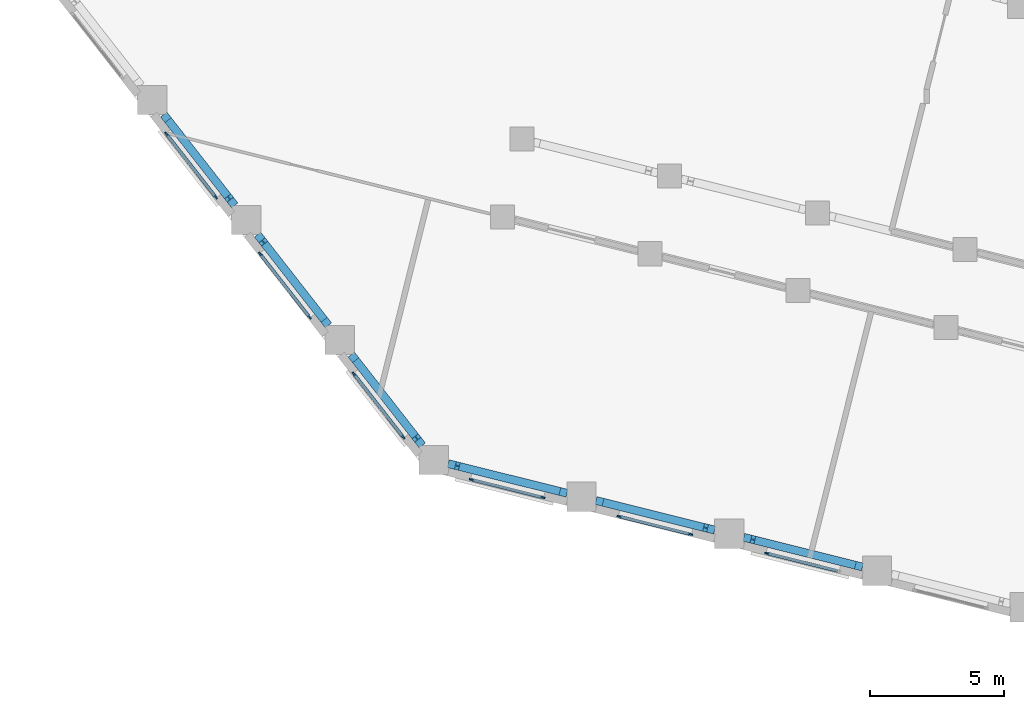
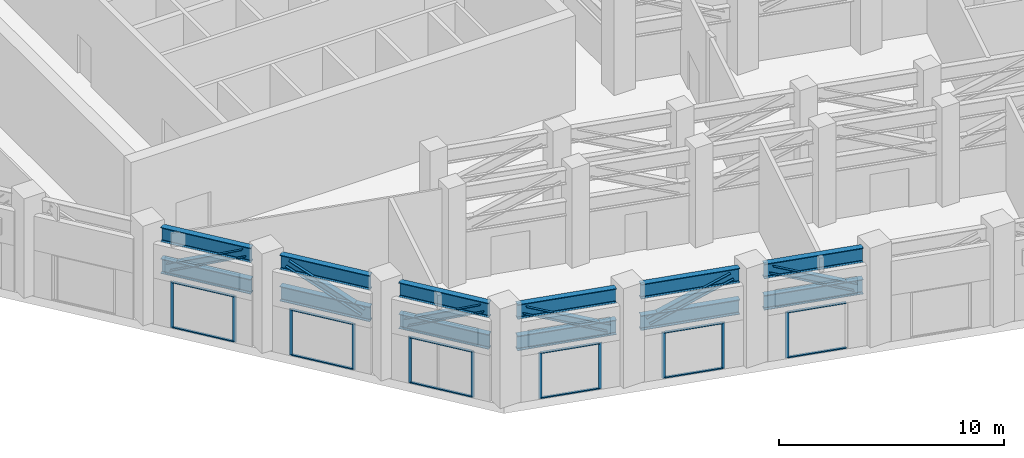
# One storey, part 2 of 21: 29 members, 12 beams, 6 elements without a shape of their own.
"""IFC4 building model written with IfcOpenShell, lengths in metres."""

from ifc_helpers import new_model, si_unit, direction, frame, origin, origin_2d, place, context, subcontext, project, spatial, rectangle, i_section, extrude, material, material_profile, profile_set, type_object, element, aggregate, save


model = new_model("IFC4")

# Units and contexts
model_context = context("Model", 3, precision=1e-05, world=origin(), true_north=direction((0.0, 1.0)))
body_context = subcontext(model_context, "Body", "Model", "MODEL_VIEW")
ifc_project = project(units=[si_unit("LENGTHUNIT", "METRE"), si_unit("AREAUNIT", "SQUARE_METRE"), si_unit("VOLUMEUNIT", "CUBIC_METRE"), si_unit("PLANEANGLEUNIT", "RADIAN"), si_unit("MASSUNIT", "GRAM", prefix="KILO")], contexts=[model_context])

# Site, building, storey
site_placement = place(None, origin())
site = spatial("IfcSite", under=ifc_project, at=site_placement, CompositionType="ELEMENT")
building_placement = place(site_placement, origin())
building = spatial("IfcBuilding", under=site, at=building_placement, Name="Meshkara Civic Tower", CompositionType="ELEMENT")
storey_placement = place(building_placement, frame((0.0, 0.0, 284.39990234375)))
storey = spatial("IfcBuildingStorey", under=building, at=storey_placement, Name="L65", CompositionType="ELEMENT", Elevation=284.39990234375)

# Beams
ifc_material_1 = material(Name="Steel S355", Category="steel")
ifc_material_profile_1 = material_profile(ifc_material_1, i_section(OverallWidth=0.300048828125, OverallDepth=0.800048828125, WebThickness=0.017578125, FlangeThickness=0.032958984375, FilletRadius=0.030029296875, at=origin_2d()))
ifc_profile_set_1 = profile_set([ifc_material_profile_1], Name="Steel S355")
beam_type = type_object("IfcBeamType", Name="Belt truss chord HEB 800 S355", PredefinedType="BEAM", material=ifc_profile_set_1)
for number, where, z_axis, x_axis, name in (
    (1, (6.749755859375, 9.19091796875, 4.7001953125), (0.615690159083, -0.787988342559, 0.0), (0.787988342559, 0.615690159083, 0.0), "Belt truss chord BBOW03-BOW02"),
    (2, (6.749755859375, 9.19091796875, 3.0), (0.615690159083, -0.787988342559, 0.0), (0.787988342559, 0.615690159083, 0.0), "Belt truss chord BBOW03-BOW02"),
):
    element("IfcBeam", number, at=place(storey_placement, frame(where, z_axis=z_axis, x_axis=x_axis)), inside=storey, type_object=beam_type, Name=name, PredefinedType="BEAM", context=body_context, shape_type="SweptSolid", body=[
        extrude(i_section(OverallWidth=0.300048828125, OverallDepth=0.800048828125, WebThickness=0.017578125, FlangeThickness=0.032958984375, FilletRadius=0.030029296875, at=origin_2d()), origin(), (0.0, 0.0, 1.0), 4.314697265625),
    ])
for number, where, z_axis, x_axis, name in (
    (3, (10.259765625, 4.698974609375, 4.7001953125), (0.615659419462, -0.788012359819, 0.0), (0.788012359819, 0.615659419462, 0.0), "Belt truss chord BBOW02-BOW01"),
    (4, (10.259765625, 4.698974609375, 3.0), (0.615659419462, -0.788012359819, 0.0), (0.788012359819, 0.615659419462, 0.0), "Belt truss chord BBOW02-BOW01"),
):
    element("IfcBeam", number, at=place(storey_placement, frame(where, z_axis=z_axis, x_axis=x_axis)), inside=storey, type_object=beam_type, Name=name, PredefinedType="BEAM", context=body_context, shape_type="SweptSolid", body=[
        extrude(i_section(OverallWidth=0.300048828125, OverallDepth=0.800048828125, WebThickness=0.017578125, FlangeThickness=0.032958984375, FilletRadius=0.030029296875, at=origin_2d()), origin(), (0.0, 0.0, 1.0), 4.313232421875),
    ])
for number, where, z_axis, x_axis, name in (
    (5, (13.7685546875, 0.2080078125, 4.7001953125), (0.615584739249, -0.788070700384, 0.0), (0.788070700384, 0.615584739249, 0.0), "Belt truss chord BBOW01-BOW00"),
    (6, (13.7685546875, 0.2080078125, 3.0), (0.615584739249, -0.788070700384, 0.0), (0.788070700384, 0.615584739249, 0.0), "Belt truss chord BBOW01-BOW00"),
):
    element("IfcBeam", number, at=place(storey_placement, frame(where, z_axis=z_axis, x_axis=x_axis)), inside=storey, type_object=beam_type, Name=name, PredefinedType="BEAM", context=body_context, shape_type="SweptSolid", body=[
        extrude(i_section(OverallWidth=0.300048828125, OverallDepth=0.800048828125, WebThickness=0.017578125, FlangeThickness=0.032958984375, FilletRadius=0.030029296875, at=origin_2d()), origin(), (0.0, 0.0, 1.0), 4.314208984375),
    ])
for number, where, z_axis, x_axis, name in (
    (7, (17.39599609375, -3.873779296875, 4.7001953125), (0.970286664886, -0.24195823595, 0.0), (0.24195823595, 0.970286664886, 0.0), "Belt truss chord BBOW00-BS01"),
    (8, (17.39599609375, -3.873779296875, 3.0), (0.970286664886, -0.24195823595, 0.0), (0.24195823595, 0.970286664886, 0.0), "Belt truss chord BBOW00-BS01"),
):
    element("IfcBeam", number, at=place(storey_placement, frame(where, z_axis=z_axis, x_axis=x_axis)), inside=storey, type_object=beam_type, Name=name, PredefinedType="BEAM", context=body_context, shape_type="SweptSolid", body=[
        extrude(i_section(OverallWidth=0.300048828125, OverallDepth=0.800048828125, WebThickness=0.017578125, FlangeThickness=0.032958984375, FilletRadius=0.030029296875, at=origin_2d()), origin(), (0.0, 0.0, 1.0), 4.576904296875),
    ])
for number, where, z_axis, x_axis, name in (
    (9, (22.927001953125, -5.2529296875, 4.7001953125), (0.970286696562, -0.241958108925, 0.0), (0.241958108925, 0.970286696562, 0.0), "Belt truss chord BBS01-BS02"),
    (10, (22.927001953125, -5.2529296875, 3.0), (0.970286696562, -0.241958108925, 0.0), (0.241958108925, 0.970286696562, 0.0), "Belt truss chord BBS01-BS02"),
):
    element("IfcBeam", number, at=place(storey_placement, frame(where, z_axis=z_axis, x_axis=x_axis)), inside=storey, type_object=beam_type, Name=name, PredefinedType="BEAM", context=body_context, shape_type="SweptSolid", body=[
        extrude(i_section(OverallWidth=0.300048828125, OverallDepth=0.800048828125, WebThickness=0.017578125, FlangeThickness=0.032958984375, FilletRadius=0.030029296875, at=origin_2d()), origin(), (0.0, 0.0, 1.0), 4.575927734375),
    ])
for number, where, z_axis, x_axis, name in (
    (11, (28.45703125, -6.6318359375, 4.7001953125), (0.970299186733, -0.241908016044, 0.0), (0.241908016044, 0.970299186733, 0.0), "Belt truss chord BBS02-BS03"),
    (12, (28.45703125, -6.6318359375, 3.0), (0.970299186733, -0.241908016044, 0.0), (0.241908016044, 0.970299186733, 0.0), "Belt truss chord BBS02-BS03"),
):
    element("IfcBeam", number, at=place(storey_placement, frame(where, z_axis=z_axis, x_axis=x_axis)), inside=storey, type_object=beam_type, Name=name, PredefinedType="BEAM", context=body_context, shape_type="SweptSolid", body=[
        extrude(i_section(OverallWidth=0.300048828125, OverallDepth=0.800048828125, WebThickness=0.017578125, FlangeThickness=0.032958984375, FilletRadius=0.030029296875, at=origin_2d()), origin(), (0.0, 0.0, 1.0), 4.576904296875),
    ])

# Curtain wall, members
ifc_material_2 = material(Name="Tinted double glazing", Category="glass")
curtain_wall_type = type_object("IfcCurtainWallType", Name="CW SKY LOBBY BAND", PredefinedType="NOTDEFINED", material=ifc_material_2)
curtain_wall_1_placement = place(storey_placement, origin())
curtain_wall_1 = element("IfcCurtainWall", 13, at=curtain_wall_1_placement, inside=storey, type_object=curtain_wall_type, Name="Curtain wall CW2", PredefinedType="NOTDEFINED")
ifc_material_3 = material(Name="Bronze anodised aluminium", Category="aluminium")
ifc_material_profile_2 = material_profile(ifc_material_3, rectangle(XDim=0.06005859375, YDim=0.159912109375, at=origin_2d()))
ifc_profile_set_2 = profile_set([ifc_material_profile_2], Name="Bronze anodised aluminium")
member_type_1 = type_object("IfcMemberType", Name="CW MULLION 60x160", PredefinedType="MULLION", material=ifc_profile_set_2)
member_1_placement = place(storey_placement, frame((6.848388671875, 8.46435546875, 0.0), z_axis=(0.0, 0.0, 1.0), x_axis=(0.788014475653, 0.615656711294, 0.0)))
member_1 = element("IfcMember", 14, at=member_1_placement, type_object=member_type_1, Name="CW2 mullion 1", PredefinedType="MULLION", context=body_context, shape_type="SweptSolid", body=[
    extrude(rectangle(XDim=0.06005859375, YDim=0.159912109375, at=origin_2d()), origin(), (0.0, 0.0, 1.0), 2.5),
])
member_2_placement = place(storey_placement, frame((8.697509765625, 6.09765625, 0.0), z_axis=(0.0, 0.0, 1.0), x_axis=(0.788014475653, 0.615656711294, 0.0)))
member_2 = element("IfcMember", 15, at=member_2_placement, type_object=member_type_1, Name="CW2 mullion 2", PredefinedType="MULLION", context=body_context, shape_type="SweptSolid", body=[
    extrude(rectangle(XDim=0.06005859375, YDim=0.159912109375, at=origin_2d()), origin(), (0.0, 0.0, 1.0), 2.5),
])

curtain_wall_2_placement = place(storey_placement, origin())
curtain_wall_2 = element("IfcCurtainWall", 16, at=curtain_wall_2_placement, inside=storey, type_object=curtain_wall_type, Name="Curtain wall CW2", PredefinedType="NOTDEFINED")
member_3_placement = place(storey_placement, frame((10.357421875, 3.973388671875, 0.0), z_axis=(0.0, 0.0, 1.0), x_axis=(0.788014475653, 0.615656711294, 0.0)))
member_3 = element("IfcMember", 17, at=member_3_placement, type_object=member_type_1, Name="CW2 mullion 1", PredefinedType="MULLION", context=body_context, shape_type="SweptSolid", body=[
    extrude(rectangle(XDim=0.06005859375, YDim=0.159912109375, at=origin_2d()), origin(), (0.0, 0.0, 1.0), 2.5),
])
member_4_placement = place(storey_placement, frame((12.20654296875, 1.606689453125, 0.0), z_axis=(0.0, 0.0, 1.0), x_axis=(0.788014475653, 0.615656711294, 0.0)))
member_4 = element("IfcMember", 18, at=member_4_placement, type_object=member_type_1, Name="CW2 mullion 2", PredefinedType="MULLION", context=body_context, shape_type="SweptSolid", body=[
    extrude(rectangle(XDim=0.06005859375, YDim=0.159912109375, at=origin_2d()), origin(), (0.0, 0.0, 1.0), 2.5),
])

curtain_wall_3_placement = place(storey_placement, origin())
curtain_wall_3 = element("IfcCurtainWall", 19, at=curtain_wall_3_placement, inside=storey, type_object=curtain_wall_type, Name="Curtain wall CW2", PredefinedType="NOTDEFINED")
member_5_placement = place(storey_placement, frame((13.866455078125, -0.517578125, 0.0), z_axis=(0.0, 0.0, 1.0), x_axis=(0.788138157675, 0.615498370766, 0.0)))
member_5 = element("IfcMember", 20, at=member_5_placement, type_object=member_type_1, Name="CW2 mullion 1", PredefinedType="MULLION", context=body_context, shape_type="SweptSolid", body=[
    extrude(rectangle(XDim=0.06005859375, YDim=0.159912109375, at=origin_2d()), origin(), (0.0, 0.0, 1.0), 2.5),
])
member_6_placement = place(storey_placement, frame((15.715576171875, -2.88525390625, 0.0), z_axis=(0.0, 0.0, 1.0), x_axis=(0.788138157675, 0.615498370766, 0.0)))
member_6 = element("IfcMember", 21, at=member_6_placement, type_object=member_type_1, Name="CW2 mullion 2", PredefinedType="MULLION", context=body_context, shape_type="SweptSolid", body=[
    extrude(rectangle(XDim=0.06005859375, YDim=0.159912109375, at=origin_2d()), origin(), (0.0, 0.0, 1.0), 2.5),
])

curtain_wall_4_placement = place(storey_placement, origin())
curtain_wall_4 = element("IfcCurtainWall", 22, at=curtain_wall_4_placement, inside=storey, type_object=curtain_wall_type, Name="Curtain wall CW2", PredefinedType="NOTDEFINED")
member_7_placement = place(storey_placement, frame((18.26123046875, -4.47021484375, 0.0), z_axis=(0.0, 0.0, 1.0), x_axis=(0.241951258529, 0.970288404803, 0.0)))
member_7 = element("IfcMember", 23, at=member_7_placement, type_object=member_type_1, Name="CW2 mullion 1", PredefinedType="MULLION", context=body_context, shape_type="SweptSolid", body=[
    extrude(rectangle(XDim=0.06005859375, YDim=0.159912109375, at=origin_2d()), origin(), (0.0, 0.0, 1.0), 2.5),
])
member_8_placement = place(storey_placement, frame((20.93798828125, -5.1376953125, 0.0), z_axis=(0.0, 0.0, 1.0), x_axis=(0.241951258529, 0.970288404803, 0.0)))
member_8 = element("IfcMember", 24, at=member_8_placement, type_object=member_type_1, Name="CW2 mullion 2", PredefinedType="MULLION", context=body_context, shape_type="SweptSolid", body=[
    extrude(rectangle(XDim=0.06005859375, YDim=0.159912109375, at=origin_2d()), origin(), (0.0, 0.0, 1.0), 2.5),
])

curtain_wall_5_placement = place(storey_placement, origin())
curtain_wall_5 = element("IfcCurtainWall", 25, at=curtain_wall_5_placement, inside=storey, type_object=curtain_wall_type, Name="Curtain wall CW2", PredefinedType="NOTDEFINED")
member_9_placement = place(storey_placement, frame((23.7919921875, -5.849365234375, 0.0), z_axis=(0.0, 0.0, 1.0), x_axis=(0.242034572364, 0.970267625854, 0.0)))
member_9 = element("IfcMember", 26, at=member_9_placement, type_object=member_type_1, Name="CW2 mullion 1", PredefinedType="MULLION", context=body_context, shape_type="SweptSolid", body=[
    extrude(rectangle(XDim=0.06005859375, YDim=0.159912109375, at=origin_2d()), origin(), (0.0, 0.0, 1.0), 2.5),
])
member_10_placement = place(storey_placement, frame((26.4677734375, -6.516845703125, 0.0), z_axis=(0.0, 0.0, 1.0), x_axis=(0.242034572364, 0.970267625854, 0.0)))
member_10 = element("IfcMember", 27, at=member_10_placement, type_object=member_type_1, Name="CW2 mullion 2", PredefinedType="MULLION", context=body_context, shape_type="SweptSolid", body=[
    extrude(rectangle(XDim=0.06005859375, YDim=0.159912109375, at=origin_2d()), origin(), (0.0, 0.0, 1.0), 2.5),
])

# Curtain wall, member
curtain_wall_6_placement = place(storey_placement, origin())
curtain_wall_6 = element("IfcCurtainWall", 28, at=curtain_wall_6_placement, inside=storey, type_object=curtain_wall_type, Name="Curtain wall CW2", PredefinedType="NOTDEFINED")
member_11_placement = place(storey_placement, frame((29.322021484375, -7.228271484375, 0.0), z_axis=(0.0, 0.0, 1.0), x_axis=(0.241951258529, 0.970288404803, 0.0)))
member_11 = element("IfcMember", 29, at=member_11_placement, type_object=member_type_1, Name="CW2 mullion 1", PredefinedType="MULLION", context=body_context, shape_type="SweptSolid", body=[
    extrude(rectangle(XDim=0.06005859375, YDim=0.159912109375, at=origin_2d()), origin(), (0.0, 0.0, 1.0), 2.5),
])

# Member
ifc_material_4 = material(Name="Bronze anodised aluminium", Category="aluminium")
ifc_material_profile_3 = material_profile(ifc_material_4, rectangle(XDim=0.1201171875, YDim=0.06005859375, at=origin_2d()))
ifc_profile_set_3 = profile_set([ifc_material_profile_3], Name="Bronze anodised aluminium")
member_type_2 = type_object("IfcMemberType", Name="CW TRANSOM 60x120", PredefinedType="USERDEFINED", material=ifc_profile_set_3)
member_12_placement = place(storey_placement, frame((6.866943359375, 8.440673828125, 0.030029296875), z_axis=(0.615650480717, -0.788019343413, 0.0), x_axis=(0.788019343413, 0.615650480717, 0.0)))
member_12 = element("IfcMember", 30, at=member_12_placement, type_object=member_type_2, Name="CW2 transom 1.1", ObjectType="TRANSOM", PredefinedType="USERDEFINED", context=body_context, shape_type="SweptSolid", body=[
    extrude(rectangle(XDim=0.1201171875, YDim=0.06005859375, at=origin_2d()), origin(), (0.0, 0.0, 1.0), 2.943359375),
])

member_13_placement = place(storey_placement, frame((6.866943359375, 8.440673828125, 2.47021484375), z_axis=(0.615650480717, -0.788019343413, 0.0), x_axis=(0.788019343413, 0.615650480717, 0.0)))
member_13 = element("IfcMember", 31, at=member_13_placement, type_object=member_type_2, Name="CW2 transom 1.2", ObjectType="TRANSOM", PredefinedType="USERDEFINED", context=body_context, shape_type="SweptSolid", body=[
    extrude(rectangle(XDim=0.1201171875, YDim=0.06005859375, at=origin_2d()), origin(), (0.0, 0.0, 1.0), 2.943359375),
])

aggregate(curtain_wall_1, [member_1, member_2, member_12, member_13])

member_14_placement = place(storey_placement, frame((10.3759765625, 3.94970703125, 0.030029296875), z_axis=(0.615650480717, -0.788019343413, 0.0), x_axis=(0.788019343413, 0.615650480717, 0.0)))
member_14 = element("IfcMember", 32, at=member_14_placement, type_object=member_type_2, Name="CW2 transom 1.1", ObjectType="TRANSOM", PredefinedType="USERDEFINED", context=body_context, shape_type="SweptSolid", body=[
    extrude(rectangle(XDim=0.1201171875, YDim=0.06005859375, at=origin_2d()), origin(), (0.0, 0.0, 1.0), 2.943359375),
])

member_15_placement = place(storey_placement, frame((10.3759765625, 3.94970703125, 2.47021484375), z_axis=(0.615650480717, -0.788019343413, 0.0), x_axis=(0.788019343413, 0.615650480717, 0.0)))
member_15 = element("IfcMember", 33, at=member_15_placement, type_object=member_type_2, Name="CW2 transom 1.2", ObjectType="TRANSOM", PredefinedType="USERDEFINED", context=body_context, shape_type="SweptSolid", body=[
    extrude(rectangle(XDim=0.1201171875, YDim=0.06005859375, at=origin_2d()), origin(), (0.0, 0.0, 1.0), 2.943359375),
])

aggregate(curtain_wall_2, [member_3, member_4, member_14, member_15])

member_16_placement = place(storey_placement, frame((13.885009765625, -0.541259765625, 0.030029296875), z_axis=(0.615449314176, -0.788176466079, 0.0), x_axis=(0.788176466079, 0.615449314176, 0.0)))
member_16 = element("IfcMember", 34, at=member_16_placement, type_object=member_type_2, Name="CW2 transom 1.1", ObjectType="TRANSOM", PredefinedType="USERDEFINED", context=body_context, shape_type="SweptSolid", body=[
    extrude(rectangle(XDim=0.1201171875, YDim=0.06005859375, at=origin_2d()), origin(), (0.0, 0.0, 1.0), 2.944091796875),
])

member_17_placement = place(storey_placement, frame((13.885009765625, -0.541259765625, 2.47021484375), z_axis=(0.615449314176, -0.788176466079, 0.0), x_axis=(0.788176466079, 0.615449314176, 0.0)))
member_17 = element("IfcMember", 35, at=member_17_placement, type_object=member_type_2, Name="CW2 transom 1.2", ObjectType="TRANSOM", PredefinedType="USERDEFINED", context=body_context, shape_type="SweptSolid", body=[
    extrude(rectangle(XDim=0.1201171875, YDim=0.06005859375, at=origin_2d()), origin(), (0.0, 0.0, 1.0), 2.944091796875),
])

aggregate(curtain_wall_3, [member_5, member_6, member_16, member_17])

member_18_placement = place(storey_placement, frame((18.290283203125, -4.4775390625, 0.030029296875), z_axis=(0.970296635846, -0.241918247483, 0.0), x_axis=(0.241918247483, 0.970296635846, 0.0)))
member_18 = element("IfcMember", 36, at=member_18_placement, type_object=member_type_2, Name="CW2 transom 1.1", ObjectType="TRANSOM", PredefinedType="USERDEFINED", context=body_context, shape_type="SweptSolid", body=[
    extrude(rectangle(XDim=0.1201171875, YDim=0.06005859375, at=origin_2d()), origin(), (0.0, 0.0, 1.0), 2.698486328125),
])

member_19_placement = place(storey_placement, frame((18.290283203125, -4.4775390625, 2.47021484375), z_axis=(0.970296635846, -0.241918247483, 0.0), x_axis=(0.241918247483, 0.970296635846, 0.0)))
member_19 = element("IfcMember", 37, at=member_19_placement, type_object=member_type_2, Name="CW2 transom 1.2", ObjectType="TRANSOM", PredefinedType="USERDEFINED", context=body_context, shape_type="SweptSolid", body=[
    extrude(rectangle(XDim=0.1201171875, YDim=0.06005859375, at=origin_2d()), origin(), (0.0, 0.0, 1.0), 2.698486328125),
])

aggregate(curtain_wall_4, [member_7, member_8, member_18, member_19])

member_20_placement = place(storey_placement, frame((23.8212890625, -5.8564453125, 0.030029296875), z_axis=(0.970254191627, -0.242088421099, 0.0), x_axis=(0.242088421099, 0.970254191627, 0.0)))
member_20 = element("IfcMember", 38, at=member_20_placement, type_object=member_type_2, Name="CW2 transom 1.1", ObjectType="TRANSOM", PredefinedType="USERDEFINED", context=body_context, shape_type="SweptSolid", body=[
    extrude(rectangle(XDim=0.1201171875, YDim=0.06005859375, at=origin_2d()), origin(), (0.0, 0.0, 1.0), 2.69775390625),
])

member_21_placement = place(storey_placement, frame((23.8212890625, -5.8564453125, 2.47021484375), z_axis=(0.970254191627, -0.242088421099, 0.0), x_axis=(0.242088421099, 0.970254191627, 0.0)))
member_21 = element("IfcMember", 39, at=member_21_placement, type_object=member_type_2, Name="CW2 transom 1.2", ObjectType="TRANSOM", PredefinedType="USERDEFINED", context=body_context, shape_type="SweptSolid", body=[
    extrude(rectangle(XDim=0.1201171875, YDim=0.06005859375, at=origin_2d()), origin(), (0.0, 0.0, 1.0), 2.69775390625),
])

aggregate(curtain_wall_5, [member_9, member_10, member_20, member_21])

member_22_placement = place(storey_placement, frame((29.351318359375, -7.235595703125, 0.030029296875), z_axis=(0.970296635846, -0.241918247483, 0.0), x_axis=(0.241918247483, 0.970296635846, 0.0)))
member_22 = element("IfcMember", 40, at=member_22_placement, type_object=member_type_2, Name="CW2 transom 1.1", ObjectType="TRANSOM", PredefinedType="USERDEFINED", context=body_context, shape_type="SweptSolid", body=[
    extrude(rectangle(XDim=0.1201171875, YDim=0.06005859375, at=origin_2d()), origin(), (0.0, 0.0, 1.0), 2.698486328125),
])

member_23_placement = place(storey_placement, frame((29.351318359375, -7.235595703125, 2.47021484375), z_axis=(0.970296635846, -0.241918247483, 0.0), x_axis=(0.241918247483, 0.970296635846, 0.0)))
member_23 = element("IfcMember", 41, at=member_23_placement, type_object=member_type_2, Name="CW2 transom 1.2", ObjectType="TRANSOM", PredefinedType="USERDEFINED", context=body_context, shape_type="SweptSolid", body=[
    extrude(rectangle(XDim=0.1201171875, YDim=0.06005859375, at=origin_2d()), origin(), (0.0, 0.0, 1.0), 2.698486328125),
])

aggregate(curtain_wall_6, [member_11, member_22, member_23])

# Members
ifc_material_5 = material(Name="Steel S355", Category="steel")
ifc_material_profile_4 = material_profile(ifc_material_5, i_section(OverallWidth=0.300048828125, OverallDepth=0.39990234375, WebThickness=0.013427734375, FlangeThickness=0.02392578125, FilletRadius=0.027099609375, at=origin_2d()))
ifc_profile_set_4 = profile_set([ifc_material_profile_4], Name="Steel S355")
member_type_3 = type_object("IfcMemberType", Name="Truss diagonal HEB 400 S355", PredefinedType="BRACE", material=ifc_profile_set_4)
member_24_placement = place(storey_placement, frame((6.965087890625, 8.9150390625, 3.0), z_axis=(0.557208325386, -0.712996854662, 0.425622329493), x_axis=(0.787928111635, 0.615767237595, 0.0)))
element("IfcMember", 42, at=member_24_placement, inside=storey, type_object=member_type_3, Name="TD-BBOW03-BOW02-L65", PredefinedType="BRACE", context=body_context, shape_type="SweptSolid", body=[
    extrude(i_section(OverallWidth=0.300048828125, OverallDepth=0.39990234375, WebThickness=0.013427734375, FlangeThickness=0.02392578125, FilletRadius=0.027099609375, at=origin_2d()), origin(), (0.0, 0.0, 1.0), 3.99462890625),
])
member_25_placement = place(storey_placement, frame((10.47509765625, 4.423095703125, 4.7001953125), z_axis=(0.557136855008, -0.71297377407, -0.425754532895), x_axis=(0.787956761821, 0.615730575414, 0.0)))
element("IfcMember", 43, at=member_25_placement, inside=storey, type_object=member_type_3, Name="TD-BBOW02-BOW01-L65", PredefinedType="BRACE", context=body_context, shape_type="SweptSolid", body=[
    extrude(i_section(OverallWidth=0.300048828125, OverallDepth=0.39990234375, WebThickness=0.013427734375, FlangeThickness=0.02392578125, FilletRadius=0.027099609375, at=origin_2d()), origin(), (0.0, 0.0, 1.0), 3.993408203125),
])
member_26_placement = place(storey_placement, frame((13.98388671875, -0.06787109375, 3.0), z_axis=(0.557081880982, -0.713069697557, 0.425665812942), x_axis=(0.7880264219, 0.615641420298, 0.0)))
element("IfcMember", 44, at=member_26_placement, inside=storey, type_object=member_type_3, Name="TD-BBOW01-BOW00-L65", PredefinedType="BRACE", context=body_context, shape_type="SweptSolid", body=[
    extrude(i_section(OverallWidth=0.300048828125, OverallDepth=0.39990234375, WebThickness=0.013427734375, FlangeThickness=0.02392578125, FilletRadius=0.027099609375, at=origin_2d()), origin(), (0.0, 0.0, 1.0), 3.994140625),
])
member_27_placement = place(storey_placement, frame((17.73583984375, -3.95849609375, 4.7001953125), z_axis=(0.8885852515, -0.221583990151, -0.401642609947), x_axis=(0.241957675318, 0.97028680469, 0.0)))
element("IfcMember", 45, at=member_27_placement, inside=storey, type_object=member_type_3, Name="TD-BBOW00-BS01-L65", PredefinedType="BRACE", context=body_context, shape_type="SweptSolid", body=[
    extrude(i_section(OverallWidth=0.300048828125, OverallDepth=0.39990234375, WebThickness=0.013427734375, FlangeThickness=0.02392578125, FilletRadius=0.027099609375, at=origin_2d()), origin(), (0.0, 0.0, 1.0), 4.233154296875),
])
member_28_placement = place(storey_placement, frame((23.2666015625, -5.337646484375, 3.0), z_axis=(0.888560193969, -0.221563211181, 0.401709503428), x_axis=(0.241942737233, 0.970290529636, 0.0)))
element("IfcMember", 46, at=member_28_placement, inside=storey, type_object=member_type_3, Name="TD-BBS01-BS02-L65", PredefinedType="BRACE", context=body_context, shape_type="SweptSolid", body=[
    extrude(i_section(OverallWidth=0.300048828125, OverallDepth=0.39990234375, WebThickness=0.013427734375, FlangeThickness=0.02392578125, FilletRadius=0.027099609375, at=origin_2d()), origin(), (0.0, 0.0, 1.0), 4.232421875),
])
member_29_placement = place(storey_placement, frame((28.796875, -6.716552734375, 4.7001953125), z_axis=(0.888584470563, -0.221540500547, -0.40166832747), x_axis=(0.241913166558, 0.970297902629, 0.0)))
element("IfcMember", 47, at=member_29_placement, inside=storey, type_object=member_type_3, Name="TD-BBS02-BS03-L65", PredefinedType="BRACE", context=body_context, shape_type="SweptSolid", body=[
    extrude(i_section(OverallWidth=0.300048828125, OverallDepth=0.39990234375, WebThickness=0.013427734375, FlangeThickness=0.02392578125, FilletRadius=0.027099609375, at=origin_2d()), origin(), (0.0, 0.0, 1.0), 4.23291015625),
])

save(model, "model.ifc")
